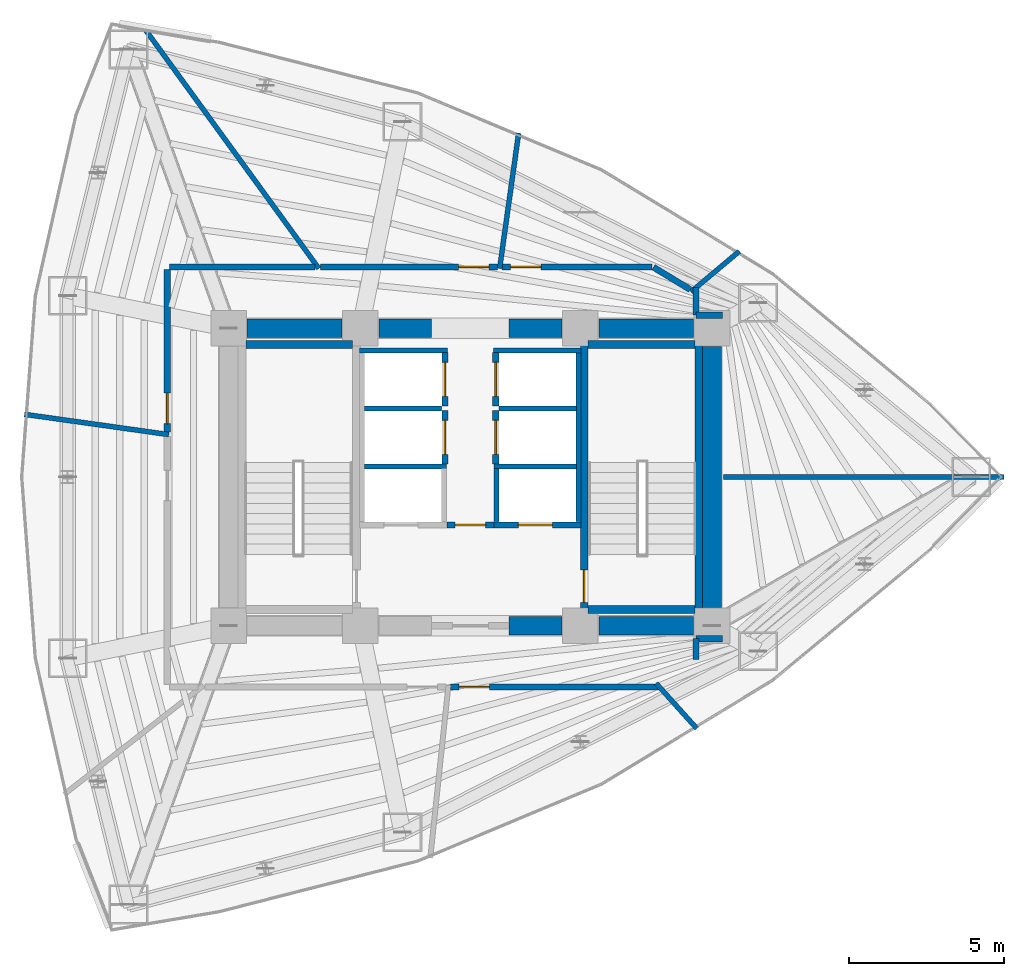
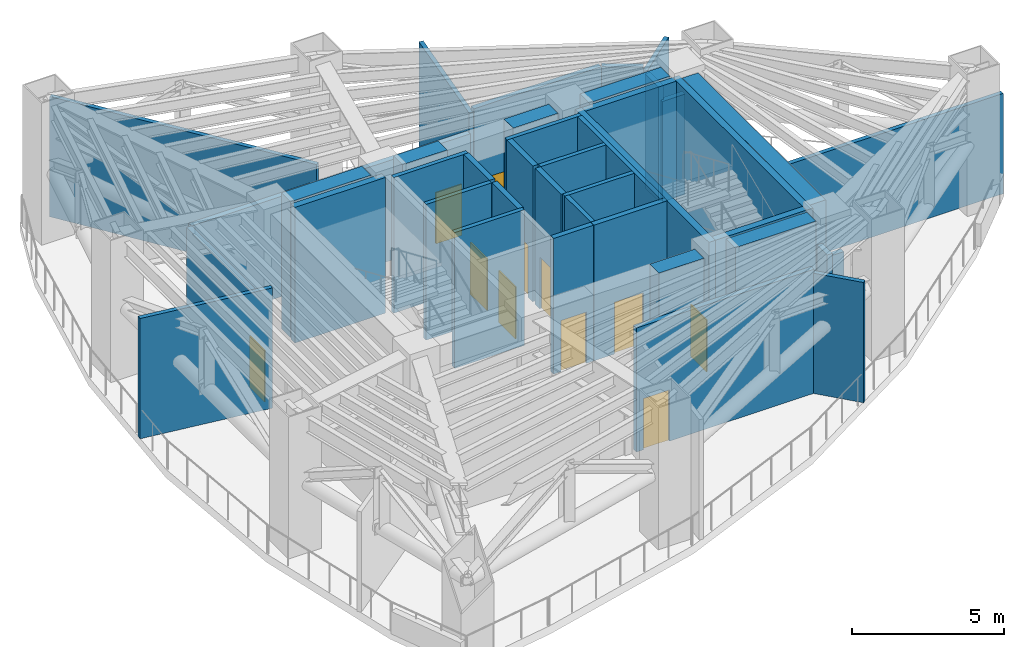
# One storey, part 4 of 7: 42 walls, 11 doors, 11 openings.
"""IFC4 building model written with IfcOpenShell, lengths in metres."""

from ifc_helpers import new_model, si_unit, direction, frame, frame_2d, origin, place, context, subcontext, project, spatial, rectangle, extrude, material, layer, layer_set, type_object, element, fill, save


model = new_model("IFC4")

# Units and contexts
model_context = context("Model", 3, precision=1e-05, world=origin(), true_north=direction((0.0, 1.0)))
body_context = subcontext(model_context, "Body", "Model", "MODEL_VIEW")
ifc_project = project(units=[si_unit("LENGTHUNIT", "METRE"), si_unit("AREAUNIT", "SQUARE_METRE"), si_unit("VOLUMEUNIT", "CUBIC_METRE"), si_unit("PLANEANGLEUNIT", "RADIAN"), si_unit("MASSUNIT", "GRAM", prefix="KILO")], contexts=[model_context])

# Site, building, storey
site_placement = place(None, origin())
site = spatial("IfcSite", under=ifc_project, at=site_placement, CompositionType="ELEMENT")
building_placement = place(site_placement, origin())
building = spatial("IfcBuilding", under=site, at=building_placement, Name="Menara Vayukalpa", CompositionType="ELEMENT")
storey_placement = place(building_placement, frame((0.0, 0.0, 83.39990234375)))
storey = spatial("IfcBuildingStorey", under=building, at=storey_placement, Name="L20", CompositionType="ELEMENT", Elevation=83.39990234375)

# Walls
ifc_material_1 = material(Name="Concrete C70/85", Category="concrete")
ifc_layer_1 = layer(ifc_material_1, 0.60009765625)
ifc_layer_set_1 = layer_set([ifc_layer_1], Name="Concrete C70/85")
wall_type_1 = type_object("IfcWallType", Name="WAL-CW600", PredefinedType="SHEAR", material=ifc_layer_set_1)
wall_1_placement = place(storey_placement, frame((26.85009765625, 17.199951171875, 0.0), z_axis=(0.0, 0.0, 1.0), x_axis=(1.0, 0.0, 0.0)))
element("IfcWall", 1, at=wall_1_placement, inside=storey, type_object=wall_type_1, Name="L20 Buttressed Core Shear Wall CWS3", PredefinedType="SHEAR", context=body_context, shape_type="SweptSolid", body=[
    extrude(rectangle(XDim=1.704833984375, YDim=0.60009765625, at=frame_2d((0.8525390625, 0.0))), origin(), (0.0, 0.0, 1.0), 5.4501953125),
])
wall_2_placement = place(storey_placement, frame((29.7451171875, 17.199951171875, 0.0), z_axis=(0.0, 0.0, 1.0), x_axis=(1.0, 0.0, 0.0)))
element("IfcWall", 2, at=wall_2_placement, inside=storey, type_object=wall_type_1, Name="L20 Buttressed Core Shear Wall CWS4", PredefinedType="SHEAR", context=body_context, shape_type="SweptSolid", body=[
    extrude(rectangle(XDim=3.059814453125, YDim=0.60009765625, at=frame_2d((1.52978515625, 0.0))), origin(), (0.0, 0.0, 1.0), 5.4501953125),
])
wall_3_placement = place(storey_placement, frame((18.39501953125, 26.800048828125, 0.0), z_axis=(0.0, 0.0, 1.0), x_axis=(1.0, 0.0, 0.0)))
element("IfcWall", 3, at=wall_3_placement, inside=storey, type_object=wall_type_1, Name="L20 Buttressed Core Shear Wall CWN1", PredefinedType="SHEAR", context=body_context, shape_type="SweptSolid", body=[
    extrude(rectangle(XDim=3.06005859375, YDim=0.60009765625, at=frame_2d((1.530029296875, 0.0))), origin(), (0.0, 0.0, 1.0), 5.4501953125),
])
wall_4_placement = place(storey_placement, frame((22.64501953125, 26.800048828125, 0.0), z_axis=(0.0, 0.0, 1.0), x_axis=(1.0, 0.0, 0.0)))
element("IfcWall", 4, at=wall_4_placement, inside=storey, type_object=wall_type_1, Name="L20 Buttressed Core Shear Wall CWN2", PredefinedType="SHEAR", context=body_context, shape_type="SweptSolid", body=[
    extrude(rectangle(XDim=1.705078125, YDim=0.60009765625, at=frame_2d((0.8525390625, 0.0))), origin(), (0.0, 0.0, 1.0), 5.4501953125),
])
wall_5_placement = place(storey_placement, frame((26.85009765625, 26.800048828125, 0.0), z_axis=(0.0, 0.0, 1.0), x_axis=(1.0, 0.0, 0.0)))
element("IfcWall", 5, at=wall_5_placement, inside=storey, type_object=wall_type_1, Name="L20 Buttressed Core Shear Wall CWN3", PredefinedType="SHEAR", context=body_context, shape_type="SweptSolid", body=[
    extrude(rectangle(XDim=1.704833984375, YDim=0.60009765625, at=frame_2d((0.8525390625, 0.0))), origin(), (0.0, 0.0, 1.0), 5.4501953125),
])
wall_6_placement = place(storey_placement, frame((29.7451171875, 26.800048828125, 0.0), z_axis=(0.0, 0.0, 1.0), x_axis=(1.0, 0.0, 0.0)))
element("IfcWall", 6, at=wall_6_placement, inside=storey, type_object=wall_type_1, Name="L20 Buttressed Core Shear Wall CWN4", PredefinedType="SHEAR", context=body_context, shape_type="SweptSolid", body=[
    extrude(rectangle(XDim=3.059814453125, YDim=0.60009765625, at=frame_2d((1.52978515625, 0.0))), origin(), (0.0, 0.0, 1.0), 5.4501953125),
])
wall_7_placement = place(storey_placement, frame((33.39990234375, 17.794921875, 0.0), z_axis=(0.0, 0.0, 1.0), x_axis=(0.0, 1.0, 0.0)))
element("IfcWall", 7, at=wall_7_placement, inside=storey, type_object=wall_type_1, Name="L20 Buttressed Core Shear Wall CWE1", PredefinedType="SHEAR", context=body_context, shape_type="SweptSolid", body=[
    extrude(rectangle(XDim=8.41015625, YDim=0.60009765625, at=frame_2d((4.205078125, 0.0))), origin(), (0.0, 0.0, 1.0), 5.4501953125),
])
ifc_material_2 = material(Name="Lightweight Concrete Blockwork C16/20", Category="masonry")
ifc_layer_2 = layer(ifc_material_2, 0.159912109375)
ifc_layer_set_2 = layer_set([ifc_layer_2], Name="Lightweight Concrete Blockwork C16/20")
wall_type_2 = type_object("IfcWallType", Name="WAL-FR150", PredefinedType="PARTITIONING", material=ifc_layer_set_2)
wall_8_placement = place(storey_placement, frame((22.179931640625, 22.344970703125, 0.0), z_axis=(0.0, 0.0, 1.0), x_axis=(1.0, 0.0, 0.0)))
element("IfcWall", 8, at=wall_8_placement, inside=storey, type_object=wall_type_2, Name="L20 Interior Partition IW-L20-SHM-W12", PredefinedType="PARTITIONING", context=body_context, shape_type="SweptSolid", body=[
    extrude(rectangle(XDim=2.650146484375, YDim=0.159912109375, at=frame_2d((1.3251953125, 0.0))), origin(), (0.0, 0.0, 1.0), 5.4501953125),
])
wall_9_placement = place(storey_placement, frame((22.179931640625, 24.215087890625, 0.0), z_axis=(0.0, 0.0, 1.0), x_axis=(1.0, 0.0, 0.0)))
element("IfcWall", 9, at=wall_9_placement, inside=storey, type_object=wall_type_2, Name="L20 Interior Partition IW-L20-SHM-W23", PredefinedType="PARTITIONING", context=body_context, shape_type="SweptSolid", body=[
    extrude(rectangle(XDim=2.489990234375, YDim=0.159912109375, at=frame_2d((1.2451171875, 0.0))), origin(), (0.0, 0.0, 1.0), 5.4501953125),
])
wall_10_placement = place(storey_placement, frame((22.030029296875, 26.0849609375, 0.0), z_axis=(0.0, 0.0, 1.0), x_axis=(1.0, 0.0, 0.0)))
element("IfcWall", 10, at=wall_10_placement, inside=storey, type_object=wall_type_2, Name="L20 Interior Partition IW-L20-SHM-W3N", PredefinedType="PARTITIONING", context=body_context, shape_type="SweptSolid", body=[
    extrude(rectangle(XDim=2.830078125, YDim=0.159912109375, at=frame_2d((1.4150390625, 0.0))), origin(), (0.0, 0.0, 1.0), 5.4501953125),
])
wall_11_placement = place(storey_placement, frame((29.094970703125, 20.56005859375, 0.0), z_axis=(0.0, 0.0, 1.0), x_axis=(0.0, 1.0, 0.0)))
element("IfcWall", 11, at=wall_11_placement, inside=storey, type_object=wall_type_2, Name="L20 Interior Partition IW-L20-SHW-EE", PredefinedType="PARTITIONING", context=body_context, shape_type="SweptSolid", body=[
    extrude(rectangle(XDim=5.449951171875, YDim=0.159912109375, at=frame_2d((2.72509765625, 0.0))), origin(), (0.0, 0.0, 1.0), 5.4501953125),
])
wall_12_placement = place(storey_placement, frame((26.445068359375, 20.56005859375, 0.0), z_axis=(0.0, 0.0, 1.0), x_axis=(0.0, 1.0, 0.0)))
element("IfcWall", 12, at=wall_12_placement, inside=storey, type_object=wall_type_2, Name="L20 Interior Partition IW-L20-SHW-E1W", PredefinedType="PARTITIONING", context=body_context, shape_type="SweptSolid", body=[
    extrude(rectangle(XDim=1.7099609375, YDim=0.159912109375, at=frame_2d((0.85498046875, 0.0))), origin(), (0.0, 0.0, 1.0), 5.4501953125),
])
wall_13_placement = place(storey_placement, frame((26.3701171875, 22.344970703125, 0.0), z_axis=(0.0, 0.0, 1.0), x_axis=(1.0, 0.0, 0.0)))
element("IfcWall", 13, at=wall_13_placement, inside=storey, type_object=wall_type_2, Name="L20 Interior Partition IW-L20-SHM-E13", PredefinedType="PARTITIONING", context=body_context, shape_type="SweptSolid", body=[
    extrude(rectangle(XDim=2.64990234375, YDim=0.159912109375, at=frame_2d((1.324951171875, 0.0))), origin(), (0.0, 0.0, 1.0), 5.4501953125),
])
wall_14_placement = place(storey_placement, frame((26.530029296875, 24.215087890625, 0.0), z_axis=(0.0, 0.0, 1.0), x_axis=(1.0, 0.0, 0.0)))
element("IfcWall", 14, at=wall_14_placement, inside=storey, type_object=wall_type_2, Name="L20 Interior Partition IW-L20-SHM-E32", PredefinedType="PARTITIONING", context=body_context, shape_type="SweptSolid", body=[
    extrude(rectangle(XDim=2.489990234375, YDim=0.159912109375, at=frame_2d((1.2451171875, 0.0))), origin(), (0.0, 0.0, 1.0), 5.4501953125),
])
wall_15_placement = place(storey_placement, frame((26.340087890625, 26.0849609375, 0.0), z_axis=(0.0, 0.0, 1.0), x_axis=(1.0, 0.0, 0.0)))
element("IfcWall", 15, at=wall_15_placement, inside=storey, type_object=wall_type_2, Name="L20 Interior Partition IW-L20-SHM-E2N", PredefinedType="PARTITIONING", context=body_context, shape_type="SweptSolid", body=[
    extrude(rectangle(XDim=2.829833984375, YDim=0.159912109375, at=frame_2d((1.4150390625, 0.0))), origin(), (0.0, 0.0, 1.0), 5.4501953125),
])
wall_16_placement = place(storey_placement, frame((33.77001953125, 22.0, 0.0), z_axis=(0.0, 0.0, 1.0), x_axis=(1.0, 0.0, 0.0)))
element("IfcWall", 16, at=wall_16_placement, inside=storey, type_object=wall_type_2, Name="L20 Interior Partition IW-L20-RDIV01", PredefinedType="PARTITIONING", context=body_context, shape_type="SweptSolid", body=[
    extrude(rectangle(XDim=9.052001953125, YDim=0.159912109375, at=frame_2d((4.52587890625, 0.0))), origin(), (0.0, 0.0, 1.0), 4.030029296875),
])
wall_17_placement = place(storey_placement, frame((32.720458984375, 27.974609375, 0.0), z_axis=(0.0, 0.0, 1.0), x_axis=(0.765997428747, 0.642843635073, 0.0)))
element("IfcWall", 17, at=wall_17_placement, inside=storey, type_object=wall_type_2, Name="L20 Interior Partition IW-L20-RDIV02", PredefinedType="PARTITIONING", context=body_context, shape_type="SweptSolid", body=[
    extrude(rectangle(XDim=2.037841796875, YDim=0.159912109375, at=frame_2d((1.01904296875, 0.0))), origin(), (0.0, 0.0, 1.0), 4.830078125),
])
wall_18_placement = place(storey_placement, frame((26.5458984375, 28.72998046875, 0.0), z_axis=(0.0, 0.0, 1.0), x_axis=(0.139150517212, 0.990271242418, 0.0)))
element("IfcWall", 18, at=wall_18_placement, inside=storey, type_object=wall_type_2, Name="L20 Interior Partition IW-L20-RDIV03", PredefinedType="PARTITIONING", context=body_context, shape_type="SweptSolid", body=[
    extrude(rectangle(XDim=4.410888671875, YDim=0.159912109375, at=frame_2d((2.20556640625, 0.0))), origin(), (0.0, 0.0, 1.0), 4.830078125),
])
wall_19_placement = place(storey_placement, frame((20.71044921875, 28.72998046875, 0.0), z_axis=(0.0, 0.0, 1.0), x_axis=(-0.587794008935, 0.80901063223, 0.0)))
element("IfcWall", 19, at=wall_19_placement, inside=storey, type_object=wall_type_2, Name="L20 Interior Partition IW-L20-RDIV04", PredefinedType="PARTITIONING", context=body_context, shape_type="SweptSolid", body=[
    extrude(rectangle(XDim=9.6103515625, YDim=0.159912109375, at=frame_2d((4.80517578125, 0.0))), origin(), (0.0, 0.0, 1.0), 4.830078125),
])
wall_20_placement = place(storey_placement, frame((15.8701171875, 23.367431640625, 0.0), z_axis=(0.0, 0.0, 1.0), x_axis=(-0.990266524338, 0.139184089518, 0.0)))
element("IfcWall", 20, at=wall_20_placement, inside=storey, type_object=wall_type_2, Name="L20 Interior Partition IW-L20-RDIV05", PredefinedType="PARTITIONING", context=body_context, shape_type="SweptSolid", body=[
    extrude(rectangle(XDim=4.706298828125, YDim=0.159912109375, at=frame_2d((2.35302734375, 0.0))), origin(), (0.0, 0.0, 1.0), 4.830078125),
])
wall_21_placement = place(storey_placement, frame((31.59521484375, 15.341796875, 0.0), z_axis=(0.0, 0.0, 1.0), x_axis=(0.669095199697, -0.743176704252, 0.0)))
element("IfcWall", 21, at=wall_21_placement, inside=storey, type_object=wall_type_2, Name="L20 Interior Partition IW-L20-RDIV08", PredefinedType="PARTITIONING", context=body_context, shape_type="SweptSolid", body=[
    extrude(rectangle(XDim=1.964111328125, YDim=0.159912109375, at=frame_2d((0.98193359375, 0.0))), origin(), (0.0, 0.0, 1.0), 4.830078125),
])

# Wall, opening, door
ifc_material_3 = material(Name="Lightweight Concrete Blockwork C16/20", Category="masonry")
ifc_layer_3 = layer(ifc_material_3, 0.199951171875)
ifc_layer_set_3 = layer_set([ifc_layer_3], Name="Lightweight Concrete Blockwork C16/20")
wall_type_3 = type_object("IfcWallType", Name="WAL-FR200", PredefinedType="PARTITIONING", material=ifc_layer_set_3)
wall_22_placement = place(storey_placement, frame((24.840087890625, 20.449951171875, 0.0), z_axis=(0.0, 0.0, 1.0), x_axis=(1.0, 0.0, 0.0)))
wall_22 = element("IfcWall", 22, at=wall_22_placement, inside=storey, type_object=wall_type_3, Name="L20 Interior Partition IW-L20-FFLN", PredefinedType="PARTITIONING", context=body_context, shape_type="SweptSolid", body=[
    extrude(rectangle(XDim=1.52001953125, YDim=0.199951171875, at=frame_2d((0.760009765625, 0.0))), origin(), (0.0, 0.0, 1.0), 5.4501953125),
])
opening_1_placement = place(wall_22_placement, frame((0.27001953125, 0.0, 0.0)))
opening_1 = element("IfcOpeningElement", 23, at=opening_1_placement, cuts=wall_22, Name="Opening ID3", PredefinedType="OPENING", context=body_context, shape_type="SweptSolid", body=[
    extrude(rectangle(XDim=0.97998046875, YDim=2.06005859375, at=frame_2d((0.489990234375, 1.030029296875))), frame((0.0, 0.10986328125, 0.0), z_axis=(0.0, -1.0, 0.0), x_axis=(1.0, 0.0, 0.0)), (0.0, 0.0, 1.0), 0.219970703125),
])
ifc_material_4 = material(Name="Fire-Rated Powder-Coated Steel Door", Category="steel")
door_type_1 = type_object("IfcDoorType", Name="DR-FD60", OperationType="NOTDEFINED", PredefinedType="DOOR", material=ifc_material_4)
door_1_placement = place(opening_1_placement, origin())
door_1 = element("IfcDoor", 24, at=door_1_placement, inside=storey, type_object=door_type_1, Name="L20 Interior Door DR-L20-FFLN", OperationType="SINGLE_SWING_LEFT", OverallHeight=2.06005859375, OverallWidth=0.97998046875, PredefinedType="DOOR", context=body_context, shape_type="SweptSolid", body=[
    extrude(rectangle(XDim=0.97998046875, YDim=2.06005859375, at=frame_2d((0.489990234375, 1.030029296875))), frame((0.0, 0.02490234375, 0.0), z_axis=(0.0, -1.0, 0.0), x_axis=(1.0, 0.0, 0.0)), (0.0, 0.0, 1.0), 0.050048828125),
])
fill(opening_1, door_1)

wall_23_placement = place(storey_placement, frame((26.3701171875, 20.449951171875, 0.0), z_axis=(0.0, 0.0, 1.0), x_axis=(1.0, 0.0, 0.0)))
wall_23 = element("IfcWall", 25, at=wall_23_placement, inside=storey, type_object=wall_type_3, Name="L20 Interior Partition IW-L20-SH-E1", PredefinedType="PARTITIONING", context=body_context, shape_type="SweptSolid", body=[
    extrude(rectangle(XDim=2.7998046875, YDim=0.199951171875, at=frame_2d((1.39990234375, 0.0))), origin(), (0.0, 0.0, 1.0), 5.4501953125),
])
opening_2_placement = place(wall_23_placement, frame((0.780029296875, 0.0, 0.0)))
opening_2 = element("IfcOpeningElement", 26, at=opening_2_placement, cuts=wall_23, Name="Opening LD1", PredefinedType="OPENING", context=body_context, shape_type="SweptSolid", body=[
    extrude(rectangle(XDim=1.10009765625, YDim=2.080078125, at=frame_2d((0.550048828125, 1.0400390625))), frame((0.0, 0.10986328125, 0.0), z_axis=(0.0, -1.0, 0.0), x_axis=(1.0, 0.0, 0.0)), (0.0, 0.0, 1.0), 0.219970703125),
])
ifc_material_5 = material(Name="Brushed Stainless Steel 316 Lift Door", Category="steel")
door_type_2 = type_object("IfcDoorType", Name="DR-LD110", OperationType="NOTDEFINED", PredefinedType="DOOR", material=ifc_material_5)
door_2_placement = place(opening_2_placement, origin())
door_2 = element("IfcDoor", 27, at=door_2_placement, inside=storey, type_object=door_type_2, Name="L20 Interior Door DR-L20-LD-E1", OperationType="DOUBLE_DOOR_SLIDING", OverallHeight=2.080078125, OverallWidth=1.10009765625, PredefinedType="DOOR", context=body_context, shape_type="SweptSolid", body=[
    extrude(rectangle(XDim=1.10009765625, YDim=2.080078125, at=frame_2d((0.550048828125, 1.0400390625))), frame((0.0, 0.02490234375, 0.0), z_axis=(0.0, -1.0, 0.0), x_axis=(1.0, 0.0, 0.0)), (0.0, 0.0, 1.0), 0.050048828125),
])
fill(opening_2, door_2)

wall_24_placement = place(storey_placement, frame((24.780029296875, 22.419921875, 0.0), z_axis=(0.0, 0.0, 1.0), x_axis=(0.0, 1.0, 0.0)))
wall_24 = element("IfcWall", 28, at=wall_24_placement, inside=storey, type_object=wall_type_3, Name="L20 Interior Partition IW-L20-SH-W2", PredefinedType="PARTITIONING", context=body_context, shape_type="SweptSolid", body=[
    extrude(rectangle(XDim=1.719970703125, YDim=0.199951171875, at=frame_2d((0.85986328125, 0.0))), origin(), (0.0, 0.0, 1.0), 5.4501953125),
])
opening_3_placement = place(wall_24_placement, frame((0.31005859375, 0.0, 0.0)))
opening_3 = element("IfcOpeningElement", 29, at=opening_3_placement, cuts=wall_24, Name="Opening LD1", PredefinedType="OPENING", context=body_context, shape_type="SweptSolid", body=[
    extrude(rectangle(XDim=1.10009765625, YDim=2.080078125, at=frame_2d((0.550048828125, 1.0400390625))), frame((0.0, 0.10986328125, 0.0), z_axis=(0.0, -1.0, 0.0), x_axis=(1.0, 0.0, 0.0)), (0.0, 0.0, 1.0), 0.219970703125),
])
door_3_placement = place(opening_3_placement, origin())
door_3 = element("IfcDoor", 30, at=door_3_placement, inside=storey, type_object=door_type_2, Name="L20 Interior Door DR-L20-LD-W2", OperationType="DOUBLE_DOOR_SLIDING", OverallHeight=2.080078125, OverallWidth=1.10009765625, PredefinedType="DOOR", context=body_context, shape_type="SweptSolid", body=[
    extrude(rectangle(XDim=1.10009765625, YDim=2.080078125, at=frame_2d((0.550048828125, 1.0400390625))), frame((0.0, 0.02490234375, 0.0), z_axis=(0.0, -1.0, 0.0), x_axis=(1.0, 0.0, 0.0)), (0.0, 0.0, 1.0), 0.050048828125),
])
fill(opening_3, door_3)

wall_25_placement = place(storey_placement, frame((24.780029296875, 24.2900390625, 0.0), z_axis=(0.0, 0.0, 1.0), x_axis=(0.0, 1.0, 0.0)))
wall_25 = element("IfcWall", 31, at=wall_25_placement, inside=storey, type_object=wall_type_3, Name="L20 Interior Partition IW-L20-SH-W3", PredefinedType="PARTITIONING", context=body_context, shape_type="SweptSolid", body=[
    extrude(rectangle(XDim=1.719970703125, YDim=0.199951171875, at=frame_2d((0.85986328125, 0.0))), origin(), (0.0, 0.0, 1.0), 5.4501953125),
])
opening_4_placement = place(wall_25_placement, frame((0.31005859375, 0.0, 0.0)))
opening_4 = element("IfcOpeningElement", 32, at=opening_4_placement, cuts=wall_25, Name="Opening LD1", PredefinedType="OPENING", context=body_context, shape_type="SweptSolid", body=[
    extrude(rectangle(XDim=1.10009765625, YDim=2.080078125, at=frame_2d((0.550048828125, 1.0400390625))), frame((0.0, 0.10986328125, 0.0), z_axis=(0.0, -1.0, 0.0), x_axis=(1.0, 0.0, 0.0)), (0.0, 0.0, 1.0), 0.219970703125),
])
door_4_placement = place(opening_4_placement, origin())
door_4 = element("IfcDoor", 33, at=door_4_placement, inside=storey, type_object=door_type_2, Name="L20 Interior Door DR-L20-LD-W3", OperationType="DOUBLE_DOOR_SLIDING", OverallHeight=2.080078125, OverallWidth=1.10009765625, PredefinedType="DOOR", context=body_context, shape_type="SweptSolid", body=[
    extrude(rectangle(XDim=1.10009765625, YDim=2.080078125, at=frame_2d((0.550048828125, 1.0400390625))), frame((0.0, 0.02490234375, 0.0), z_axis=(0.0, -1.0, 0.0), x_axis=(1.0, 0.0, 0.0)), (0.0, 0.0, 1.0), 0.050048828125),
])
fill(opening_4, door_4)

wall_26_placement = place(storey_placement, frame((26.419921875, 22.419921875, 0.0), z_axis=(0.0, 0.0, 1.0), x_axis=(0.0, 1.0, 0.0)))
wall_26 = element("IfcWall", 34, at=wall_26_placement, inside=storey, type_object=wall_type_3, Name="L20 Interior Partition IW-L20-SH-E3", PredefinedType="PARTITIONING", context=body_context, shape_type="SweptSolid", body=[
    extrude(rectangle(XDim=1.719970703125, YDim=0.199951171875, at=frame_2d((0.85986328125, 0.0))), origin(), (0.0, 0.0, 1.0), 5.4501953125),
])
opening_5_placement = place(wall_26_placement, frame((0.31005859375, 0.0, 0.0)))
opening_5 = element("IfcOpeningElement", 35, at=opening_5_placement, cuts=wall_26, Name="Opening LD1", PredefinedType="OPENING", context=body_context, shape_type="SweptSolid", body=[
    extrude(rectangle(XDim=1.10009765625, YDim=2.080078125, at=frame_2d((0.550048828125, 1.0400390625))), frame((0.0, 0.10986328125, 0.0), z_axis=(0.0, -1.0, 0.0), x_axis=(1.0, 0.0, 0.0)), (0.0, 0.0, 1.0), 0.219970703125),
])
door_5_placement = place(opening_5_placement, origin())
door_5 = element("IfcDoor", 36, at=door_5_placement, inside=storey, type_object=door_type_2, Name="L20 Interior Door DR-L20-LD-E3", OperationType="DOUBLE_DOOR_SLIDING", OverallHeight=2.080078125, OverallWidth=1.10009765625, PredefinedType="DOOR", context=body_context, shape_type="SweptSolid", body=[
    extrude(rectangle(XDim=1.10009765625, YDim=2.080078125, at=frame_2d((0.550048828125, 1.0400390625))), frame((0.0, 0.02490234375, 0.0), z_axis=(0.0, -1.0, 0.0), x_axis=(1.0, 0.0, 0.0)), (0.0, 0.0, 1.0), 0.050048828125),
])
fill(opening_5, door_5)

wall_27_placement = place(storey_placement, frame((26.419921875, 24.2900390625, 0.0), z_axis=(0.0, 0.0, 1.0), x_axis=(0.0, 1.0, 0.0)))
wall_27 = element("IfcWall", 37, at=wall_27_placement, inside=storey, type_object=wall_type_3, Name="L20 Interior Partition IW-L20-SH-E2", PredefinedType="PARTITIONING", context=body_context, shape_type="SweptSolid", body=[
    extrude(rectangle(XDim=1.719970703125, YDim=0.199951171875, at=frame_2d((0.85986328125, 0.0))), origin(), (0.0, 0.0, 1.0), 5.4501953125),
])
opening_6_placement = place(wall_27_placement, frame((0.31005859375, 0.0, 0.0)))
opening_6 = element("IfcOpeningElement", 38, at=opening_6_placement, cuts=wall_27, Name="Opening LD1", PredefinedType="OPENING", context=body_context, shape_type="SweptSolid", body=[
    extrude(rectangle(XDim=1.10009765625, YDim=2.080078125, at=frame_2d((0.550048828125, 1.0400390625))), frame((0.0, 0.10986328125, 0.0), z_axis=(0.0, -1.0, 0.0), x_axis=(1.0, 0.0, 0.0)), (0.0, 0.0, 1.0), 0.219970703125),
])
door_6_placement = place(opening_6_placement, origin())
door_6 = element("IfcDoor", 39, at=door_6_placement, inside=storey, type_object=door_type_2, Name="L20 Interior Door DR-L20-LD-E2", OperationType="DOUBLE_DOOR_SLIDING", OverallHeight=2.080078125, OverallWidth=1.10009765625, PredefinedType="DOOR", context=body_context, shape_type="SweptSolid", body=[
    extrude(rectangle(XDim=1.10009765625, YDim=2.080078125, at=frame_2d((0.550048828125, 1.0400390625))), frame((0.0, 0.02490234375, 0.0), z_axis=(0.0, -1.0, 0.0), x_axis=(1.0, 0.0, 0.0)), (0.0, 0.0, 1.0), 0.050048828125),
])
fill(opening_6, door_6)

wall_28_placement = place(storey_placement, frame((24.957763671875, 15.219970703125, 0.0), z_axis=(0.0, 0.0, 1.0), x_axis=(1.0, 0.0, 0.0)))
wall_28 = element("IfcWall", 40, at=wall_28_placement, inside=storey, type_object=wall_type_3, Name="L20 Interior Partition IW-L20-CRM03-1", PredefinedType="PARTITIONING", context=body_context, shape_type="SweptSolid", body=[
    extrude(rectangle(XDim=6.7470703125, YDim=0.199951171875, at=frame_2d((3.37353515625, 0.0))), origin(), (0.0, 0.0, 1.0), 4.97998046875),
])
opening_7_placement = place(wall_28_placement, frame((0.280029296875, 0.0, 0.0)))
opening_7 = element("IfcOpeningElement", 41, at=opening_7_placement, cuts=wall_28, Name="Opening ID3", PredefinedType="OPENING", context=body_context, shape_type="SweptSolid", body=[
    extrude(rectangle(XDim=0.97998046875, YDim=2.06005859375, at=frame_2d((0.489990234375, 1.030029296875))), frame((0.0, 0.10986328125, 0.0), z_axis=(0.0, -1.0, 0.0), x_axis=(1.0, 0.0, 0.0)), (0.0, 0.0, 1.0), 0.219970703125),
])
door_7_placement = place(opening_7_placement, origin())
door_7 = element("IfcDoor", 42, at=door_7_placement, inside=storey, type_object=door_type_1, Name="L20 Interior Door DR-L20-RM03", OperationType="SINGLE_SWING_RIGHT", OverallHeight=2.06005859375, OverallWidth=0.97998046875, PredefinedType="DOOR", context=body_context, shape_type="SweptSolid", body=[
    extrude(rectangle(XDim=0.97998046875, YDim=2.06005859375, at=frame_2d((0.489990234375, 1.030029296875))), frame((0.0, 0.02490234375, 0.0), z_axis=(0.0, -1.0, 0.0), x_axis=(1.0, 0.0, 0.0)), (0.0, 0.0, 1.0), 0.050048828125),
])
fill(opening_7, door_7)

# Walls
wall_29_placement = place(storey_placement, frame((32.8798828125, 16.10888671875, 0.0), z_axis=(0.0, 0.0, 1.0), x_axis=(0.0, 1.0, 0.0)))
element("IfcWall", 43, at=wall_29_placement, inside=storey, type_object=wall_type_3, Name="L20 Interior Partition IW-L20-CRM04-2", PredefinedType="PARTITIONING", context=body_context, shape_type="SweptSolid", body=[
    extrude(rectangle(XDim=0.671142578125, YDim=0.199951171875, at=frame_2d((0.33544921875, 0.0))), origin(), (0.0, 0.0, 1.0), 4.580078125),
])
for number, where, z_axis, x_axis, name in (
    (44, (32.8798828125, 16.780029296875, 0.0), (0.0, 0.0, 1.0), (1.0, 0.0, 0.0), "L20 Interior Partition IW-L20-CRM04-3"),
    (45, (33.739990234375, 27.219970703125, 0.0), (0.0, 0.0, 1.0), (-1.0, 0.0, 0.0), "L20 Interior Partition IW-L20-CRM05-1"),
):
    element("IfcWall", number, at=place(storey_placement, frame(where, z_axis=z_axis, x_axis=x_axis)), inside=storey, type_object=wall_type_3, Name=name, PredefinedType="PARTITIONING", context=body_context, shape_type="SweptSolid", body=[
        extrude(rectangle(XDim=0.860107421875, YDim=0.199951171875, at=frame_2d((0.43017578125, 0.0))), origin(), (0.0, 0.0, 1.0), 4.030029296875),
    ])
wall_30_placement = place(storey_placement, frame((32.8798828125, 27.219970703125, 0.0), z_axis=(0.0, 0.0, 1.0), x_axis=(0.0, 1.0, 0.0)))
element("IfcWall", 46, at=wall_30_placement, inside=storey, type_object=wall_type_3, Name="L20 Interior Partition IW-L20-CRM05-2", PredefinedType="PARTITIONING", context=body_context, shape_type="SweptSolid", body=[
    extrude(rectangle(XDim=0.888671875, YDim=0.199951171875, at=frame_2d((0.4443359375, 0.0))), origin(), (0.0, 0.0, 1.0), 4.580078125),
])
wall_31_placement = place(storey_placement, frame((32.697509765625, 28.047119140625, 0.0), z_axis=(0.0, 0.0, 1.0), x_axis=(-0.854720690503, 0.519088182514, 0.0)))
element("IfcWall", 47, at=wall_31_placement, inside=storey, type_object=wall_type_3, Name="L20 Interior Partition IW-L20-CRM06-1", PredefinedType="PARTITIONING", context=body_context, shape_type="SweptSolid", body=[
    extrude(rectangle(XDim=1.389404296875, YDim=0.199951171875, at=frame_2d((0.69482421875, 0.0))), origin(), (0.0, 0.0, 1.0), 4.97998046875),
])

# Wall, opening, door
wall_32_placement = place(storey_placement, frame((31.468505859375, 28.780029296875, 0.0), z_axis=(0.0, 0.0, 1.0), x_axis=(-1.0, 0.0, 0.0)))
wall_32 = element("IfcWall", 48, at=wall_32_placement, inside=storey, type_object=wall_type_3, Name="L20 Interior Partition IW-L20-CRM06-2", PredefinedType="PARTITIONING", context=body_context, shape_type="SweptSolid", body=[
    extrude(rectangle(XDim=4.844970703125, YDim=0.199951171875, at=frame_2d((2.42236328125, 0.0))), origin(), (0.0, 0.0, 1.0), 4.97998046875),
])
opening_8_placement = place(wall_32_placement, frame((3.5849609375, 0.0, 0.0)))
opening_8 = element("IfcOpeningElement", 49, at=opening_8_placement, cuts=wall_32, Name="Opening ID3", PredefinedType="OPENING", context=body_context, shape_type="SweptSolid", body=[
    extrude(rectangle(XDim=0.97998046875, YDim=2.06005859375, at=frame_2d((0.489990234375, 1.030029296875))), frame((0.0, 0.10986328125, 0.0), z_axis=(0.0, -1.0, 0.0), x_axis=(1.0, 0.0, 0.0)), (0.0, 0.0, 1.0), 0.219970703125),
])
door_8_placement = place(opening_8_placement, origin())
door_8 = element("IfcDoor", 50, at=door_8_placement, inside=storey, type_object=door_type_1, Name="L20 Interior Door DR-L20-RM06", OperationType="SINGLE_SWING_LEFT", OverallHeight=2.06005859375, OverallWidth=0.97998046875, PredefinedType="DOOR", context=body_context, shape_type="SweptSolid", body=[
    extrude(rectangle(XDim=0.97998046875, YDim=2.06005859375, at=frame_2d((0.489990234375, 1.030029296875))), frame((0.0, 0.02490234375, 0.0), z_axis=(0.0, -1.0, 0.0), x_axis=(1.0, 0.0, 0.0)), (0.0, 0.0, 1.0), 0.050048828125),
])
fill(opening_8, door_8)

wall_33_placement = place(storey_placement, frame((26.482177734375, 28.780029296875, 0.0), z_axis=(0.0, 0.0, 1.0), x_axis=(-1.0, 0.0, 0.0)))
wall_33 = element("IfcWall", 51, at=wall_33_placement, inside=storey, type_object=wall_type_3, Name="L20 Interior Partition IW-L20-CRM07-1", PredefinedType="PARTITIONING", context=body_context, shape_type="SweptSolid", body=[
    extrude(rectangle(XDim=5.7216796875, YDim=0.199951171875, at=frame_2d((2.86083984375, 0.0))), origin(), (0.0, 0.0, 1.0), 4.030029296875),
])
opening_9_placement = place(wall_33_placement, frame((0.280029296875, 0.0, 0.0)))
opening_9 = element("IfcOpeningElement", 52, at=opening_9_placement, cuts=wall_33, Name="Opening ID3", PredefinedType="OPENING", context=body_context, shape_type="SweptSolid", body=[
    extrude(rectangle(XDim=0.97998046875, YDim=2.06005859375, at=frame_2d((0.489990234375, 1.030029296875))), frame((0.0, 0.10986328125, 0.0), z_axis=(0.0, -1.0, 0.0), x_axis=(1.0, 0.0, 0.0)), (0.0, 0.0, 1.0), 0.219970703125),
])
door_9_placement = place(opening_9_placement, origin())
door_9 = element("IfcDoor", 53, at=door_9_placement, inside=storey, type_object=door_type_1, Name="L20 Interior Door DR-L20-RM07", OperationType="SINGLE_SWING_RIGHT", OverallHeight=2.06005859375, OverallWidth=0.97998046875, PredefinedType="DOOR", context=body_context, shape_type="SweptSolid", body=[
    extrude(rectangle(XDim=0.97998046875, YDim=2.06005859375, at=frame_2d((0.489990234375, 1.030029296875))), frame((0.0, 0.02490234375, 0.0), z_axis=(0.0, -1.0, 0.0), x_axis=(1.0, 0.0, 0.0)), (0.0, 0.0, 1.0), 0.050048828125),
])
fill(opening_9, door_9)

# Wall
wall_34_placement = place(storey_placement, frame((20.58740234375, 28.780029296875, 0.0), z_axis=(0.0, 0.0, 1.0), x_axis=(-1.0, 0.0, 0.0)))
element("IfcWall", 54, at=wall_34_placement, inside=storey, type_object=wall_type_3, Name="L20 Interior Partition IW-L20-CRM08-1", PredefinedType="PARTITIONING", context=body_context, shape_type="SweptSolid", body=[
    extrude(rectangle(XDim=4.6875, YDim=0.199951171875, at=frame_2d((2.34375, 0.0))), origin(), (0.0, 0.0, 1.0), 4.030029296875),
])

# Wall, opening, door
wall_35_placement = place(storey_placement, frame((15.820068359375, 28.699951171875, 0.0), z_axis=(0.0, 0.0, 1.0), x_axis=(0.0, -1.0, 0.0)))
wall_35 = element("IfcWall", 55, at=wall_35_placement, inside=storey, type_object=wall_type_3, Name="L20 Interior Partition IW-L20-CRM08-2", PredefinedType="PARTITIONING", context=body_context, shape_type="SweptSolid", body=[
    extrude(rectangle(XDim=5.254638671875, YDim=0.199951171875, at=frame_2d((2.62744140625, 0.0))), origin(), (0.0, 0.0, 1.0), 4.030029296875),
])
opening_10_placement = place(wall_35_placement, frame((3.994873046875, 0.0, 0.0)))
opening_10 = element("IfcOpeningElement", 56, at=opening_10_placement, cuts=wall_35, Name="Opening ID3", PredefinedType="OPENING", context=body_context, shape_type="SweptSolid", body=[
    extrude(rectangle(XDim=0.97998046875, YDim=2.06005859375, at=frame_2d((0.489990234375, 1.030029296875))), frame((0.0, 0.10986328125, 0.0), z_axis=(0.0, -1.0, 0.0), x_axis=(1.0, 0.0, 0.0)), (0.0, 0.0, 1.0), 0.219970703125),
])
door_10_placement = place(opening_10_placement, origin())
door_10 = element("IfcDoor", 57, at=door_10_placement, inside=storey, type_object=door_type_1, Name="L20 Interior Door DR-L20-RM08", OperationType="SINGLE_SWING_LEFT", OverallHeight=2.06005859375, OverallWidth=0.97998046875, PredefinedType="DOOR", context=body_context, shape_type="SweptSolid", body=[
    extrude(rectangle(XDim=0.97998046875, YDim=2.06005859375, at=frame_2d((0.489990234375, 1.030029296875))), frame((0.0, 0.02490234375, 0.0), z_axis=(0.0, -1.0, 0.0), x_axis=(1.0, 0.0, 0.0)), (0.0, 0.0, 1.0), 0.050048828125),
])
fill(opening_10, door_10)

# Wall
ifc_material_6 = material(Name="Concrete C50/60", Category="concrete")
ifc_layer_4 = layer(ifc_material_6, 0.25)
ifc_layer_set_4 = layer_set([ifc_layer_4], Name="Concrete C50/60")
wall_type_4 = type_object("IfcWallType", Name="WAL-SW250", PredefinedType="SHEAR", material=ifc_layer_set_4)
wall_36_placement = place(storey_placement, frame((18.35400390625, 26.27490234375, 0.0), z_axis=(0.0, 0.0, 1.0), x_axis=(1.0, 0.0, 0.0)))
element("IfcWall", 58, at=wall_36_placement, inside=storey, type_object=wall_type_4, Name="L20 ST1 Structural Stair Shaft Wall N", PredefinedType="SHEAR", context=body_context, shape_type="SweptSolid", body=[
    extrude(rectangle(XDim=3.446044921875, YDim=0.25, at=frame_2d((1.72314453125, 0.0))), origin(), (0.0, 0.0, 1.0), 5.4501953125),
])

# Wall, opening, door
wall_37_placement = place(storey_placement, frame((29.27490234375, 17.60009765625, 0.0), z_axis=(0.0, 0.0, 1.0), x_axis=(0.0, 1.0, 0.0)))
wall_37 = element("IfcWall", 59, at=wall_37_placement, inside=storey, type_object=wall_type_4, Name="L20 ST2 Structural Stair Shaft Wall W", PredefinedType="SHEAR", context=body_context, shape_type="SweptSolid", body=[
    extrude(rectangle(XDim=8.7998046875, YDim=0.25, at=frame_2d((4.39990234375, 0.0))), origin(), (0.0, 0.0, 1.0), 5.4501953125),
])
opening_11_placement = place(wall_37_placement, frame((0.35009765625, 0.0, 0.0)))
opening_11 = element("IfcOpeningElement", 60, at=opening_11_placement, cuts=wall_37, Name="Opening ID1", PredefinedType="OPENING", context=body_context, shape_type="SweptSolid", body=[
    extrude(rectangle(XDim=1.050048828125, YDim=2.080078125, at=frame_2d((0.52490234375, 1.0400390625))), frame((0.0, 0.135009765625, 0.0), z_axis=(0.0, -1.0, 0.0), x_axis=(1.0, 0.0, 0.0)), (0.0, 0.0, 1.0), 0.27001953125),
])
ifc_material_7 = material(Name="Fire-Rated Powder-Coated Steel Door", Category="steel")
door_type_3 = type_object("IfcDoorType", Name="DR-FD120", OperationType="NOTDEFINED", PredefinedType="DOOR", material=ifc_material_7)
door_11_placement = place(opening_11_placement, origin())
door_11 = element("IfcDoor", 61, at=door_11_placement, inside=storey, type_object=door_type_3, Name="L20 Stair Exit Door DR-L20-ST2", OperationType="SINGLE_SWING_RIGHT", OverallHeight=2.080078125, OverallWidth=1.050048828125, PredefinedType="DOOR", context=body_context, shape_type="SweptSolid", body=[
    extrude(rectangle(XDim=1.050048828125, YDim=2.080078125, at=frame_2d((0.52490234375, 1.0400390625))), frame((0.0, 0.02490234375, 0.0), z_axis=(0.0, -1.0, 0.0), x_axis=(1.0, 0.0, 0.0)), (0.0, 0.0, 1.0), 0.050048828125),
])
fill(opening_11, door_11)

# Walls
wall_38_placement = place(storey_placement, frame((32.970947265625, 17.60009765625, 0.0), z_axis=(0.0, 0.0, 1.0), x_axis=(0.0, 1.0, 0.0)))
element("IfcWall", 62, at=wall_38_placement, inside=storey, type_object=wall_type_4, Name="L20 ST2 Structural Stair Shaft Wall E", PredefinedType="SHEAR", context=body_context, shape_type="SweptSolid", body=[
    extrude(rectangle(XDim=8.7998046875, YDim=0.25, at=frame_2d((4.39990234375, 0.0))), origin(), (0.0, 0.0, 1.0), 5.4501953125),
])
for number, where, z_axis, x_axis, name in (
    (63, (29.39990234375, 17.72509765625, 0.0), (0.0, 0.0, 1.0), (1.0, 0.0, 0.0), "L20 ST2 Structural Stair Shaft Wall S"),
    (64, (29.39990234375, 26.27490234375, 0.0), (0.0, 0.0, 1.0), (1.0, 0.0, 0.0), "L20 ST2 Structural Stair Shaft Wall N"),
):
    element("IfcWall", number, at=place(storey_placement, frame(where, z_axis=z_axis, x_axis=x_axis)), inside=storey, type_object=wall_type_4, Name=name, PredefinedType="SHEAR", context=body_context, shape_type="SweptSolid", body=[
        extrude(rectangle(XDim=3.446044921875, YDim=0.25, at=frame_2d((1.72314453125, 0.0))), origin(), (0.0, 0.0, 1.0), 5.4501953125),
    ])

save(model, "model.ifc")
